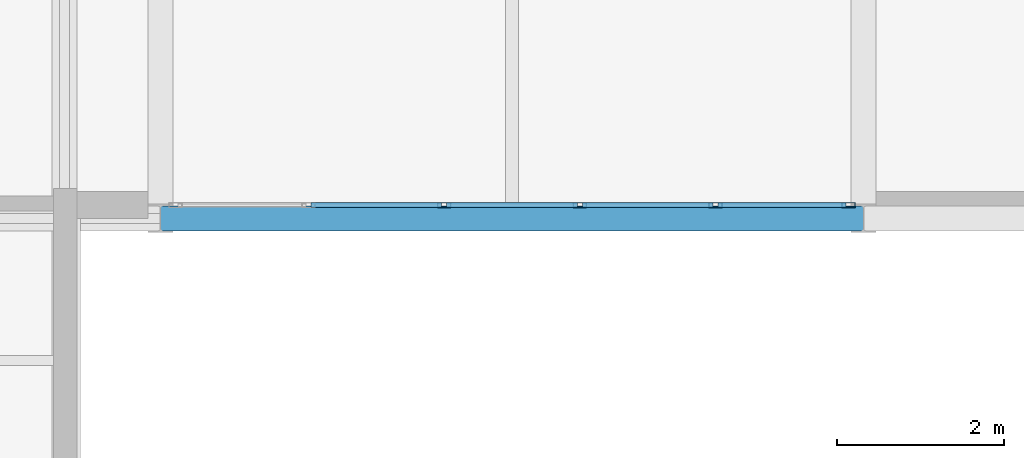
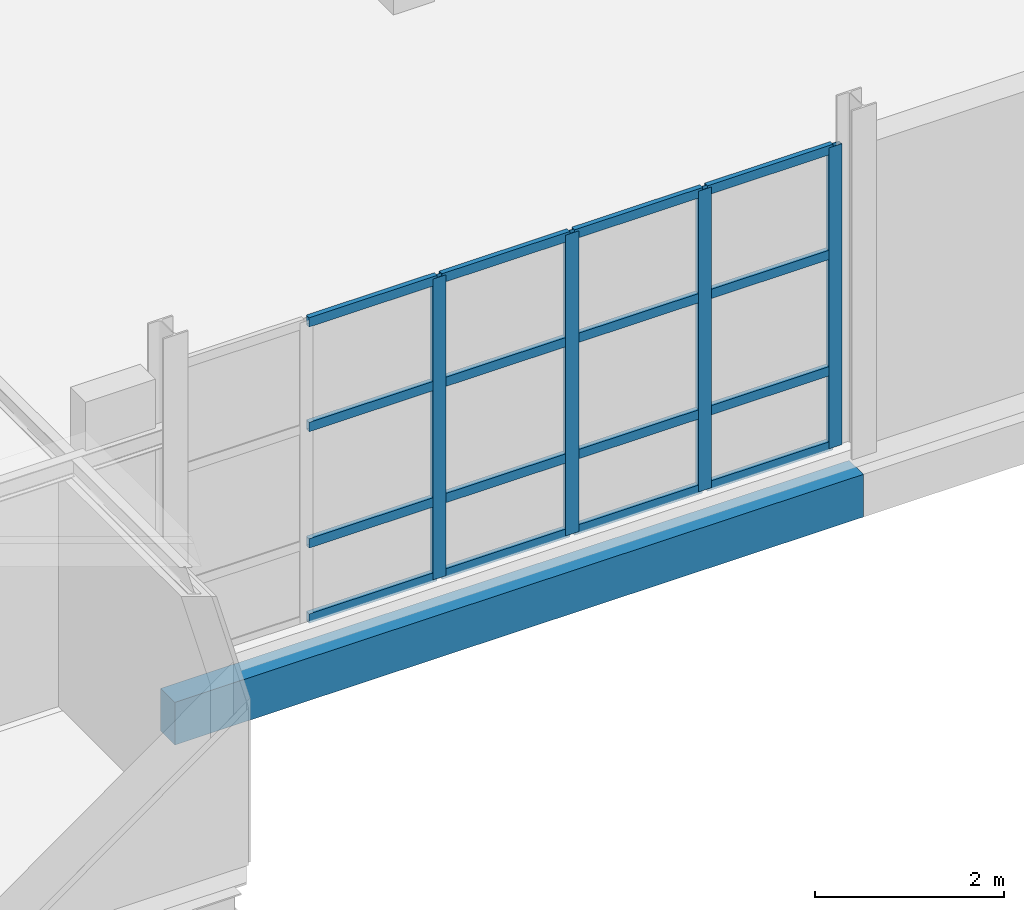
# One storey, part 69 of 103: 20 members, 1 beam, 1 element without a shape of its own.
"""IFC4 building model written with IfcOpenShell, lengths in metres."""

from ifc_helpers import new_model, si_unit, direction, frame, origin, origin_2d, place, context, subcontext, project, spatial, rectangle, hollow_rectangle, extrude, material, material_profile, profile_set, type_object, element, aggregate, save


model = new_model("IFC4")

# Units and contexts
model_context = context("Model", 3, precision=1e-05, world=origin(), true_north=direction((0.0, 1.0)))
body_context = subcontext(model_context, "Body", "Model", "MODEL_VIEW")
ifc_project = project(units=[si_unit("LENGTHUNIT", "METRE"), si_unit("AREAUNIT", "SQUARE_METRE"), si_unit("VOLUMEUNIT", "CUBIC_METRE"), si_unit("PLANEANGLEUNIT", "RADIAN"), si_unit("MASSUNIT", "GRAM", prefix="KILO")], contexts=[model_context])

# Site, building, storey
site_placement = place(None, origin())
site = spatial("IfcSite", under=ifc_project, at=site_placement, CompositionType="ELEMENT")
building_placement = place(site_placement, origin())
building = spatial("IfcBuilding", under=site, at=building_placement, Name="Veltarok Museum of Natural Sciences", CompositionType="ELEMENT")
storey_placement = place(building_placement, frame((0.0, 0.0, 21.89990234375)))
storey = spatial("IfcBuildingStorey", under=building, at=storey_placement, Name="L04", CompositionType="ELEMENT", Elevation=21.89990234375)

# Curtain wall, members
ifc_material_1 = material(Name="Low-iron triple insulated glass", Category="glass")
curtain_wall_type = type_object("IfcCurtainWallType", Name="Curtain Wall System CW-V5S-L04-16-810x388 (V5 South Lab Curtain Wall L04 16-17 810x388cm)", PredefinedType="NOTDEFINED", material=ifc_material_1)
curtain_wall_placement = place(storey_placement, origin())
curtain_wall = element("IfcCurtainWall", 1, at=curtain_wall_placement, inside=storey, type_object=curtain_wall_type, Name="Curtain Wall CW-V5S-L04-16-810x388 CW-0097", PredefinedType="NOTDEFINED")
ifc_material_2 = material(Name="Thermally broken anodised aluminium", Category="aluminium")
ifc_material_profile_1 = material_profile(ifc_material_2, hollow_rectangle(XDim=0.06005859375, YDim=0.1201171875, WallThickness=0.0048828125, at=origin_2d()), Name="CW TRANSOM 60x120x5")
ifc_profile_set_1 = profile_set([ifc_material_profile_1], Name="Thermally broken anodised aluminium")
member_type_1 = type_object("IfcMemberType", Name="Curtain Wall Horizontal Transom 60x120x5", PredefinedType="USERDEFINED", material=ifc_profile_set_1)
member_1_placement = place(storey_placement, frame((134.199951171875, 0.159912109375, 0.030029296875), z_axis=(1.0, 0.0, 0.0), x_axis=(0.0, 1.0, 0.0)))
member_1 = element("IfcMember", 2, at=member_1_placement, type_object=member_type_1, Name="CW-V5S-L04-16-810x388 transom 2.1", ObjectType="TRANSOM", PredefinedType="USERDEFINED", context=body_context, shape_type="SweptSolid", body=[
    extrude(hollow_rectangle(XDim=0.06005859375, YDim=0.1201171875, WallThickness=0.0048828125, at=origin_2d()), origin(), (0.0, 0.0, 1.0), 1.56005859375),
])
member_2_placement = place(storey_placement, frame((134.199951171875, 0.159912109375, 1.0), z_axis=(1.0, 0.0, 0.0), x_axis=(0.0, 1.0, 0.0)))
member_2 = element("IfcMember", 3, at=member_2_placement, type_object=member_type_1, Name="CW-V5S-L04-16-810x388 transom 2.2", ObjectType="TRANSOM", PredefinedType="USERDEFINED", context=body_context, shape_type="SweptSolid", body=[
    extrude(hollow_rectangle(XDim=0.06005859375, YDim=0.1201171875, WallThickness=0.0048828125, at=origin_2d()), origin(), (0.0, 0.0, 1.0), 1.56005859375),
])
member_3_placement = place(storey_placement, frame((134.199951171875, 0.159912109375, 2.5), z_axis=(1.0, 0.0, 0.0), x_axis=(0.0, 1.0, 0.0)))
member_3 = element("IfcMember", 4, at=member_3_placement, type_object=member_type_1, Name="CW-V5S-L04-16-810x388 transom 2.3", ObjectType="TRANSOM", PredefinedType="USERDEFINED", context=body_context, shape_type="SweptSolid", body=[
    extrude(hollow_rectangle(XDim=0.06005859375, YDim=0.1201171875, WallThickness=0.0048828125, at=origin_2d()), origin(), (0.0, 0.0, 1.0), 1.56005859375),
])
member_4_placement = place(storey_placement, frame((134.199951171875, 0.159912109375, 3.85009765625), z_axis=(1.0, 0.0, 0.0), x_axis=(0.0, 1.0, 0.0)))
member_4 = element("IfcMember", 5, at=member_4_placement, type_object=member_type_1, Name="CW-V5S-L04-16-810x388 transom 2.4", ObjectType="TRANSOM", PredefinedType="USERDEFINED", context=body_context, shape_type="SweptSolid", body=[
    extrude(hollow_rectangle(XDim=0.06005859375, YDim=0.1201171875, WallThickness=0.0048828125, at=origin_2d()), origin(), (0.0, 0.0, 1.0), 1.56005859375),
])
member_5_placement = place(storey_placement, frame((135.820068359375, 0.159912109375, 0.030029296875), z_axis=(1.0, 0.0, 0.0), x_axis=(0.0, 1.0, 0.0)))
member_5 = element("IfcMember", 6, at=member_5_placement, type_object=member_type_1, Name="CW-V5S-L04-16-810x388 transom 3.1", ObjectType="TRANSOM", PredefinedType="USERDEFINED", context=body_context, shape_type="SweptSolid", body=[
    extrude(hollow_rectangle(XDim=0.06005859375, YDim=0.1201171875, WallThickness=0.0048828125, at=origin_2d()), origin(), (0.0, 0.0, 1.0), 1.559814453125),
])
member_6_placement = place(storey_placement, frame((135.820068359375, 0.159912109375, 1.0), z_axis=(1.0, 0.0, 0.0), x_axis=(0.0, 1.0, 0.0)))
member_6 = element("IfcMember", 7, at=member_6_placement, type_object=member_type_1, Name="CW-V5S-L04-16-810x388 transom 3.2", ObjectType="TRANSOM", PredefinedType="USERDEFINED", context=body_context, shape_type="SweptSolid", body=[
    extrude(hollow_rectangle(XDim=0.06005859375, YDim=0.1201171875, WallThickness=0.0048828125, at=origin_2d()), origin(), (0.0, 0.0, 1.0), 1.559814453125),
])
member_7_placement = place(storey_placement, frame((135.820068359375, 0.159912109375, 2.5), z_axis=(1.0, 0.0, 0.0), x_axis=(0.0, 1.0, 0.0)))
member_7 = element("IfcMember", 8, at=member_7_placement, type_object=member_type_1, Name="CW-V5S-L04-16-810x388 transom 3.3", ObjectType="TRANSOM", PredefinedType="USERDEFINED", context=body_context, shape_type="SweptSolid", body=[
    extrude(hollow_rectangle(XDim=0.06005859375, YDim=0.1201171875, WallThickness=0.0048828125, at=origin_2d()), origin(), (0.0, 0.0, 1.0), 1.559814453125),
])
member_8_placement = place(storey_placement, frame((135.820068359375, 0.159912109375, 3.85009765625), z_axis=(1.0, 0.0, 0.0), x_axis=(0.0, 1.0, 0.0)))
member_8 = element("IfcMember", 9, at=member_8_placement, type_object=member_type_1, Name="CW-V5S-L04-16-810x388 transom 3.4", ObjectType="TRANSOM", PredefinedType="USERDEFINED", context=body_context, shape_type="SweptSolid", body=[
    extrude(hollow_rectangle(XDim=0.06005859375, YDim=0.1201171875, WallThickness=0.0048828125, at=origin_2d()), origin(), (0.0, 0.0, 1.0), 1.559814453125),
])
member_9_placement = place(storey_placement, frame((137.43994140625, 0.159912109375, 0.030029296875), z_axis=(1.0, 0.0, 0.0), x_axis=(0.0, 1.0, 0.0)))
member_9 = element("IfcMember", 10, at=member_9_placement, type_object=member_type_1, Name="CW-V5S-L04-16-810x388 transom 4.1", ObjectType="TRANSOM", PredefinedType="USERDEFINED", context=body_context, shape_type="SweptSolid", body=[
    extrude(hollow_rectangle(XDim=0.06005859375, YDim=0.1201171875, WallThickness=0.0048828125, at=origin_2d()), origin(), (0.0, 0.0, 1.0), 1.56005859375),
])
member_10_placement = place(storey_placement, frame((137.43994140625, 0.159912109375, 1.0), z_axis=(1.0, 0.0, 0.0), x_axis=(0.0, 1.0, 0.0)))
member_10 = element("IfcMember", 11, at=member_10_placement, type_object=member_type_1, Name="CW-V5S-L04-16-810x388 transom 4.2", ObjectType="TRANSOM", PredefinedType="USERDEFINED", context=body_context, shape_type="SweptSolid", body=[
    extrude(hollow_rectangle(XDim=0.06005859375, YDim=0.1201171875, WallThickness=0.0048828125, at=origin_2d()), origin(), (0.0, 0.0, 1.0), 1.56005859375),
])
member_11_placement = place(storey_placement, frame((137.43994140625, 0.159912109375, 2.5), z_axis=(1.0, 0.0, 0.0), x_axis=(0.0, 1.0, 0.0)))
member_11 = element("IfcMember", 12, at=member_11_placement, type_object=member_type_1, Name="CW-V5S-L04-16-810x388 transom 4.3", ObjectType="TRANSOM", PredefinedType="USERDEFINED", context=body_context, shape_type="SweptSolid", body=[
    extrude(hollow_rectangle(XDim=0.06005859375, YDim=0.1201171875, WallThickness=0.0048828125, at=origin_2d()), origin(), (0.0, 0.0, 1.0), 1.56005859375),
])
member_12_placement = place(storey_placement, frame((137.43994140625, 0.159912109375, 3.85009765625), z_axis=(1.0, 0.0, 0.0), x_axis=(0.0, 1.0, 0.0)))
member_12 = element("IfcMember", 13, at=member_12_placement, type_object=member_type_1, Name="CW-V5S-L04-16-810x388 transom 4.4", ObjectType="TRANSOM", PredefinedType="USERDEFINED", context=body_context, shape_type="SweptSolid", body=[
    extrude(hollow_rectangle(XDim=0.06005859375, YDim=0.1201171875, WallThickness=0.0048828125, at=origin_2d()), origin(), (0.0, 0.0, 1.0), 1.56005859375),
])
member_13_placement = place(storey_placement, frame((139.06005859375, 0.159912109375, 0.030029296875), z_axis=(1.0, 0.0, 0.0), x_axis=(0.0, 1.0, 0.0)))
member_13 = element("IfcMember", 14, at=member_13_placement, type_object=member_type_1, Name="CW-V5S-L04-16-810x388 transom 5.1", ObjectType="TRANSOM", PredefinedType="USERDEFINED", context=body_context, shape_type="SweptSolid", body=[
    extrude(hollow_rectangle(XDim=0.06005859375, YDim=0.1201171875, WallThickness=0.0048828125, at=origin_2d()), origin(), (0.0, 0.0, 1.0), 1.530029296875),
])
member_14_placement = place(storey_placement, frame((139.06005859375, 0.159912109375, 1.0), z_axis=(1.0, 0.0, 0.0), x_axis=(0.0, 1.0, 0.0)))
member_14 = element("IfcMember", 15, at=member_14_placement, type_object=member_type_1, Name="CW-V5S-L04-16-810x388 transom 5.2", ObjectType="TRANSOM", PredefinedType="USERDEFINED", context=body_context, shape_type="SweptSolid", body=[
    extrude(hollow_rectangle(XDim=0.06005859375, YDim=0.1201171875, WallThickness=0.0048828125, at=origin_2d()), origin(), (0.0, 0.0, 1.0), 1.530029296875),
])
member_15_placement = place(storey_placement, frame((139.06005859375, 0.159912109375, 2.5), z_axis=(1.0, 0.0, 0.0), x_axis=(0.0, 1.0, 0.0)))
member_15 = element("IfcMember", 16, at=member_15_placement, type_object=member_type_1, Name="CW-V5S-L04-16-810x388 transom 5.3", ObjectType="TRANSOM", PredefinedType="USERDEFINED", context=body_context, shape_type="SweptSolid", body=[
    extrude(hollow_rectangle(XDim=0.06005859375, YDim=0.1201171875, WallThickness=0.0048828125, at=origin_2d()), origin(), (0.0, 0.0, 1.0), 1.530029296875),
])
member_16_placement = place(storey_placement, frame((139.06005859375, 0.159912109375, 3.85009765625), z_axis=(1.0, 0.0, 0.0), x_axis=(0.0, 1.0, 0.0)))
member_16 = element("IfcMember", 17, at=member_16_placement, type_object=member_type_1, Name="CW-V5S-L04-16-810x388 transom 5.4", ObjectType="TRANSOM", PredefinedType="USERDEFINED", context=body_context, shape_type="SweptSolid", body=[
    extrude(hollow_rectangle(XDim=0.06005859375, YDim=0.1201171875, WallThickness=0.0048828125, at=origin_2d()), origin(), (0.0, 0.0, 1.0), 1.530029296875),
])
ifc_material_profile_2 = material_profile(ifc_material_2, hollow_rectangle(XDim=0.06005859375, YDim=0.159912109375, WallThickness=0.0048828125, at=origin_2d()), Name="CW MULLION 60x160x5")
ifc_profile_set_2 = profile_set([ifc_material_profile_2], Name="Thermally broken anodised aluminium")
member_type_2 = type_object("IfcMemberType", Name="Curtain Wall Vertical Mullion 60x160x5", PredefinedType="MULLION", material=ifc_profile_set_2)
member_17_placement = place(storey_placement, frame((135.7900390625, 0.159912109375, 0.0), z_axis=(0.0, 0.0, 1.0), x_axis=(0.0, 1.0, 0.0)))
member_17 = element("IfcMember", 18, at=member_17_placement, type_object=member_type_2, Name="CW-V5S-L04-16-810x388 mullion 3", PredefinedType="MULLION", context=body_context, shape_type="SweptSolid", body=[
    extrude(hollow_rectangle(XDim=0.06005859375, YDim=0.159912109375, WallThickness=0.0048828125, at=origin_2d()), origin(), (0.0, 0.0, 1.0), 3.880126953125),
])
member_18_placement = place(storey_placement, frame((137.409912109375, 0.159912109375, 0.0), z_axis=(0.0, 0.0, 1.0), x_axis=(0.0, 1.0, 0.0)))
member_18 = element("IfcMember", 19, at=member_18_placement, type_object=member_type_2, Name="CW-V5S-L04-16-810x388 mullion 4", PredefinedType="MULLION", context=body_context, shape_type="SweptSolid", body=[
    extrude(hollow_rectangle(XDim=0.06005859375, YDim=0.159912109375, WallThickness=0.0048828125, at=origin_2d()), origin(), (0.0, 0.0, 1.0), 3.880126953125),
])
member_19_placement = place(storey_placement, frame((139.030029296875, 0.159912109375, 0.0), z_axis=(0.0, 0.0, 1.0), x_axis=(0.0, 1.0, 0.0)))
member_19 = element("IfcMember", 20, at=member_19_placement, type_object=member_type_2, Name="CW-V5S-L04-16-810x388 mullion 5", PredefinedType="MULLION", context=body_context, shape_type="SweptSolid", body=[
    extrude(hollow_rectangle(XDim=0.06005859375, YDim=0.159912109375, WallThickness=0.0048828125, at=origin_2d()), origin(), (0.0, 0.0, 1.0), 3.880126953125),
])
member_20_placement = place(storey_placement, frame((140.6201171875, 0.159912109375, 0.0), z_axis=(0.0, 0.0, 1.0), x_axis=(0.0, 1.0, 0.0)))
member_20 = element("IfcMember", 21, at=member_20_placement, type_object=member_type_2, Name="CW-V5S-L04-16-810x388 mullion 6", PredefinedType="MULLION", context=body_context, shape_type="SweptSolid", body=[
    extrude(hollow_rectangle(XDim=0.06005859375, YDim=0.159912109375, WallThickness=0.0048828125, at=origin_2d()), origin(), (0.0, 0.0, 1.0), 3.880126953125),
])
aggregate(curtain_wall, [member_17, member_18, member_19, member_20, member_1, member_2, member_3, member_4, member_5, member_6, member_7, member_8, member_9, member_10, member_11, member_12, member_13, member_14, member_15, member_16])

# Beam
ifc_material_3 = material(Name="Precast concrete C40/50", Category="concrete")
ifc_material_profile_3 = material_profile(ifc_material_3, rectangle(XDim=0.300048828125, YDim=0.550048828125, at=origin_2d()), Name="RC 300x550")
ifc_profile_set_3 = profile_set([ifc_material_profile_3], Name="Precast concrete C40/50")
beam_type = type_object("IfcBeamType", Name="East Wing Precast Spandrel RC 300x550", PredefinedType="SPANDREL", material=ifc_profile_set_3)
beam_placement = place(storey_placement, frame((132.39990234375, 0.0, -0.52490234375), z_axis=(1.0, 0.0, 0.0), x_axis=(0.0, 1.0, 0.0)))
element("IfcBeam", 22, at=beam_placement, inside=storey, type_object=beam_type, Name="Beam BM-SP02 L04 16-17/A", PredefinedType="SPANDREL", context=body_context, shape_type="SweptSolid", body=[
    extrude(rectangle(XDim=0.300048828125, YDim=0.550048828125, at=origin_2d()), origin(), (0.0, 0.0, 1.0), 8.400146484375),
])

save(model, "model.ifc")
